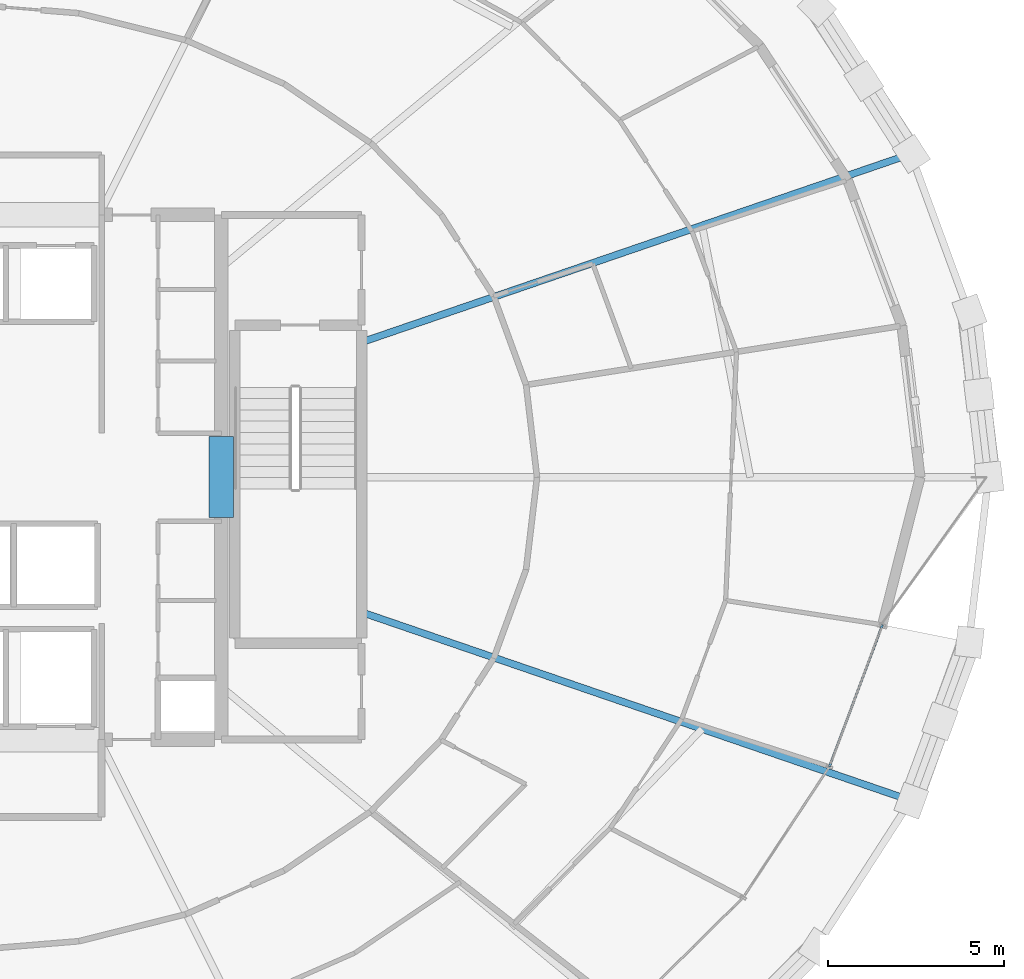
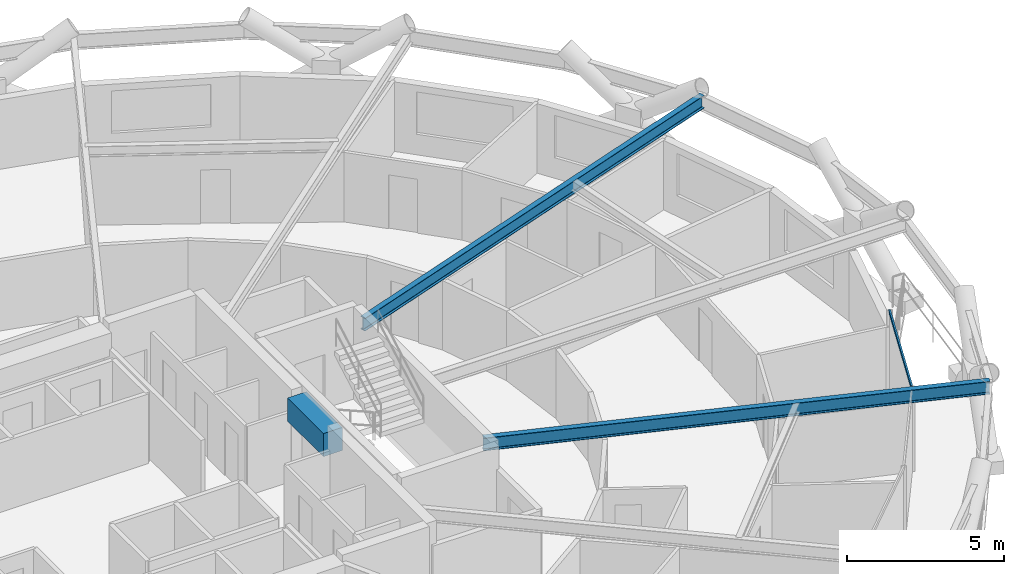
# One storey, part 11 of 22: 3 beams, 1 member, 1 element without a shape of its own.
"""IFC4 building model written with IfcOpenShell, lengths in metres."""

from ifc_helpers import new_model, si_unit, direction, frame, origin, origin_2d, place, context, subcontext, project, spatial, rectangle, hollow_rectangle, i_section, extrude, material, layer, layer_set, material_profile, profile_set, type_object, element, aggregate, save


model = new_model("IFC4")

# Units and contexts
model_context = context("Model", 3, precision=1e-05, world=origin(), true_north=direction((0.0, 1.0)))
body_context = subcontext(model_context, "Body", "Model", "MODEL_VIEW")
ifc_project = project(units=[si_unit("LENGTHUNIT", "METRE"), si_unit("AREAUNIT", "SQUARE_METRE"), si_unit("VOLUMEUNIT", "CUBIC_METRE"), si_unit("PLANEANGLEUNIT", "RADIAN"), si_unit("MASSUNIT", "GRAM", prefix="KILO")], contexts=[model_context])

# Site, building, storey
site_placement = place(None, origin())
site = spatial("IfcSite", under=ifc_project, at=site_placement, CompositionType="ELEMENT")
building_placement = place(site_placement, origin())
building = spatial("IfcBuilding", under=site, at=building_placement, Name="Veldorina Hangang Commons", CompositionType="ELEMENT")
storey_placement = place(building_placement, frame((0.0, 0.0, 80.800048828125)))
storey = spatial("IfcBuildingStorey", under=building, at=storey_placement, Name="L20", CompositionType="ELEMENT", Elevation=80.800048828125)

# Beams
ifc_material_1 = material(Name="Concrete C70/85", Category="concrete")
ifc_material_profile_1 = material_profile(ifc_material_1, rectangle(XDim=0.699951171875, YDim=0.89990234375, at=origin_2d()), Name="RC-CB-700x900")
ifc_profile_set_1 = profile_set([ifc_material_profile_1], Name="Concrete C70/85")
beam_type_1 = type_object("IfcBeamType", Name="BM-CB900", PredefinedType="LINTEL", material=ifc_profile_set_1)
beam_placement = place(storey_placement, frame((39.199951171875, 22.85009765625, 2.889892578125), z_axis=(0.0, 1.0, 0.0), x_axis=(-1.0, 0.0, 0.0)))
element("IfcBeam", 1, at=beam_placement, inside=storey, type_object=beam_type_1, Name="L20 E core coupling lintel beam", PredefinedType="LINTEL", context=body_context, shape_type="SweptSolid", body=[
    extrude(rectangle(XDim=0.699951171875, YDim=0.89990234375, at=origin_2d()), origin(), (0.0, 0.0, 1.0), 2.2998046875),
])
ifc_material_2 = material(Name="Steel SM420-TMC", Category="steel")
ifc_material_profile_2 = material_profile(ifc_material_2, i_section(OverallWidth=0.199951171875, OverallDepth=0.5, WebThickness=0.010009765625, FlangeThickness=0.01611328125, FilletRadius=0.01611328125, at=origin_2d()), Name="H-500x200x10x16")
ifc_profile_set_2 = profile_set([ifc_material_profile_2], Name="Steel SM420-TMC")
beam_type_2 = type_object("IfcBeamType", Name="BM-FG500", PredefinedType="BEAM", material=ifc_profile_set_2)
for number, where, z_axis, x_axis, name in (
    (2, (43.179931640625, 27.8330078125, 3.08984375), (0.945956848509, 0.324292523439, 0.0), (-0.324292523439, 0.945956848509, 0.0), "L20 radial floor girder 02"),
    (3, (43.179931640625, 20.1669921875, 3.08984375), (0.945956848509, -0.324292523439, 0.0), (0.324292523439, 0.945956848509, 0.0), "L20 radial floor girder 16"),
):
    element("IfcBeam", number, at=place(storey_placement, frame(where, z_axis=z_axis, x_axis=x_axis)), inside=storey, type_object=beam_type_2, Name=name, PredefinedType="BEAM", context=body_context, shape_type="SweptSolid", body=[
        extrude(i_section(OverallWidth=0.199951171875, OverallDepth=0.5, WebThickness=0.010009765625, FlangeThickness=0.01611328125, FilletRadius=0.01611328125, at=origin_2d()), origin(), (0.0, 0.0, 1.0), 16.4873046875),
    ])

# Curtain wall, member
ifc_material_3 = material(Name="Glass Low-E Triple IGU", Category="glass")
ifc_layer = layer(ifc_material_3, 0.179931640625)
ifc_layer_set = layer_set([ifc_layer], Name="Glass Low-E Triple IGU")
curtain_wall_type = type_object("IfcCurtainWallType", Name="CW-SYS-Z1", PredefinedType="NOTDEFINED", material=ifc_layer_set)
curtain_wall_placement = place(storey_placement, origin())
curtain_wall = element("IfcCurtainWall", 4, at=curtain_wall_placement, inside=storey, type_object=curtain_wall_type, Name="L20 unitised curtain wall CW-L20-R2", PredefinedType="NOTDEFINED")
ifc_material_4 = material(Name="Aluminium Anodized AA6063-T6", Category="aluminium")
ifc_material_profile_3 = material_profile(ifc_material_4, hollow_rectangle(XDim=0.06005859375, YDim=0.139892578125, WallThickness=0.00341796875, at=origin_2d()), Name="ALU-RHS-140x60x3.5")
ifc_profile_set_3 = profile_set([ifc_material_profile_3], Name="Aluminium Anodized AA6063-T6")
member_type = type_object("IfcMemberType", Name="CW-TRN-140", PredefinedType="USERDEFINED", material=ifc_profile_set_3)
member_placement = place(storey_placement, frame((56.46435546875, 15.780029296875, 3.260009765625), z_axis=(0.350258831542, 0.936652951166, 0.0), x_axis=(-0.936652951166, 0.350258831542, 0.0)))
member = element("IfcMember", 5, at=member_placement, type_object=member_type, Name="CW-L20-R2 facet 5 transom 1", ObjectType="TRANSOM", PredefinedType="USERDEFINED", context=body_context, shape_type="SweptSolid", body=[
    extrude(hollow_rectangle(XDim=0.06005859375, YDim=0.139892578125, WallThickness=0.00341796875, at=origin_2d()), origin(), (0.0, 0.0, 1.0), 4.302001953125),
])
aggregate(curtain_wall, [member])

save(model, "model.ifc")
